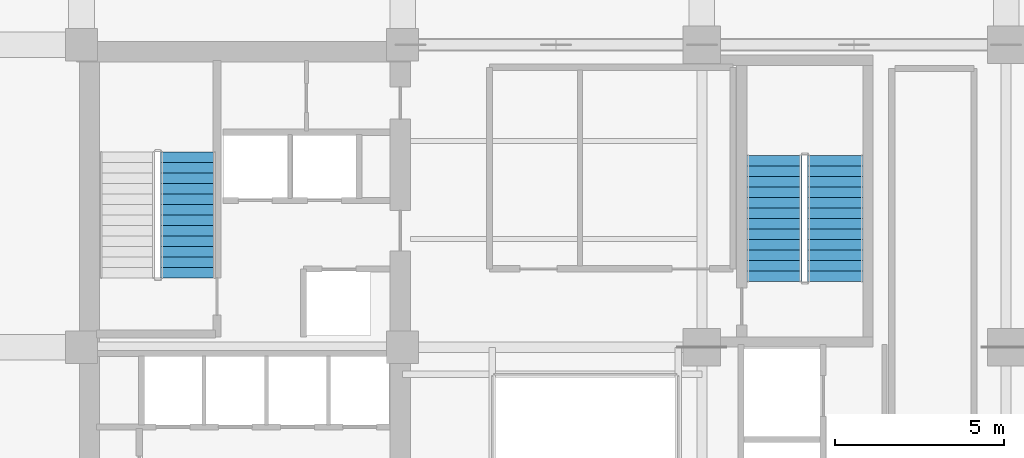
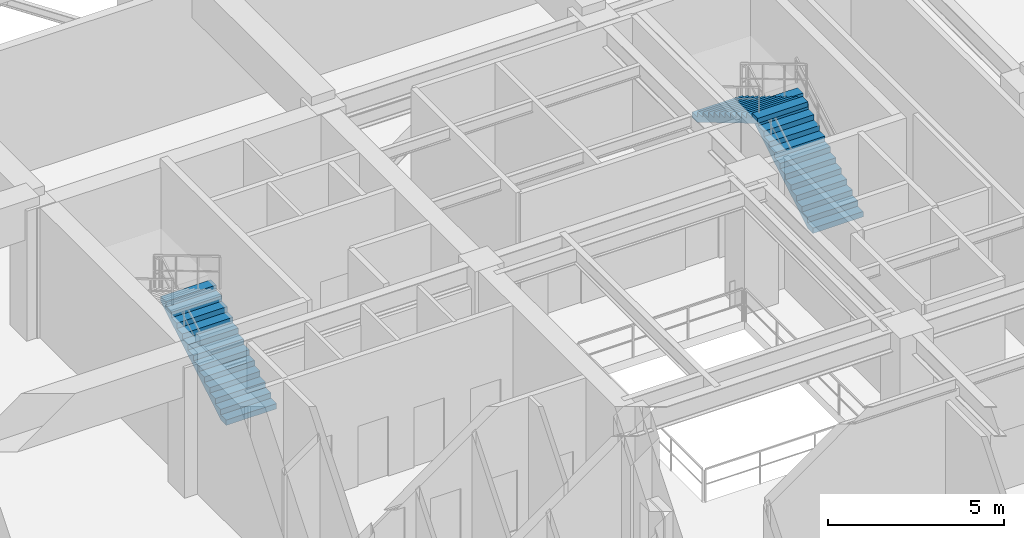
# One storey, part 6 of 10: 3 stair flights, 2 elements without a shape of their own.
"""IFC4 building model written with IfcOpenShell, lengths in metres."""

from ifc_helpers import new_model, si_unit, direction, frame, origin, place, context, subcontext, project, spatial, polyline, outline, extrude, material, type_object, element, aggregate, save


model = new_model("IFC4")

# Units and contexts
model_context = context("Model", 3, precision=1e-05, world=origin(), true_north=direction((0.0, 1.0)))
body_context = subcontext(model_context, "Body", "Model", "MODEL_VIEW")
ifc_project = project(units=[si_unit("LENGTHUNIT", "METRE"), si_unit("AREAUNIT", "SQUARE_METRE"), si_unit("VOLUMEUNIT", "CUBIC_METRE"), si_unit("PLANEANGLEUNIT", "RADIAN"), si_unit("MASSUNIT", "GRAM", prefix="KILO")], contexts=[model_context])

# Site, building, storey
site_placement = place(None, origin())
site = spatial("IfcSite", under=ifc_project, at=site_placement, CompositionType="ELEMENT")
building_placement = place(site_placement, origin())
building = spatial("IfcBuilding", under=site, at=building_placement, Name="Kundavana Baori Tower", CompositionType="ELEMENT")
storey_placement = place(building_placement, frame((0.0, 0.0, 94.0)))
storey = spatial("IfcBuildingStorey", under=building, at=storey_placement, Name="L22", CompositionType="ELEMENT", Elevation=94.0)

# Stair, stair flight
ifc_material_1 = material(Name="Concrete C40/50", Category="concrete")
stair_type = type_object("IfcStairType", Name="STR-DOG-1650", PredefinedType="HALF_TURN_STAIR", material=ifc_material_1)
stair_1_placement = place(storey_placement, origin())
stair_1 = element("IfcStair", 1, at=stair_1_placement, inside=storey, type_object=stair_type, Name="L22 Protected Exit Stair ST2", PredefinedType="HALF_TURN_STAIR")
ifc_material_2 = material(Name="Concrete C40/50", Category="concrete")
stair_flight_type = type_object("IfcStairFlightType", Name="SFL-RC-1650", PredefinedType="STRAIGHT", material=ifc_material_2)
stair_flight_1_placement = place(storey_placement, frame((18.614990234375, 35.050048828125, 0.0), z_axis=(0.0, 0.0, 1.0), x_axis=(0.0, 1.0, 0.0)))
stair_flight_1 = element("IfcStairFlight", 2, at=stair_flight_1_placement, type_object=stair_flight_type, Name="ST2 flight 1", NumberOfRisers=13, NumberOfTreads=12, PredefinedType="STRAIGHT", RiserHeight=0.184615385, TreadLength=0.31, context=body_context, shape_type="SweptSolid", body=[
    extrude(outline(polyline([(0.0, 0.0), (0.0, 0.1845703125), (0.31005859375, 0.1845703125), (0.31005859375, 0.369140625), (0.6201171875, 0.369140625), (0.6201171875, 0.553955078125), (0.929931640625, 0.553955078125), (0.929931640625, 0.738525390625), (1.239990234375, 0.738525390625), (1.239990234375, 0.923095703125), (1.550048828125, 0.923095703125), (1.550048828125, 1.107666015625), (1.860107421875, 1.107666015625), (1.860107421875, 1.292236328125), (2.169921875, 1.292236328125), (2.169921875, 1.476806640625), (2.47998046875, 1.476806640625), (2.47998046875, 1.66162109375), (2.7900390625, 1.66162109375), (2.7900390625, 1.84619140625), (3.10009765625, 1.84619140625), (3.10009765625, 2.03076171875), (3.409912109375, 2.03076171875), (3.409912109375, 2.21533203125), (3.719970703125, 2.21533203125), (3.719970703125, 2.39990234375), (3.719970703125, 2.041015625), (0.29296875, 0.0), (0.0, 0.0)])), frame((0.0, 0.824951171875, 0.0), z_axis=(0.0, -1.0, 0.0), x_axis=(1.0, 0.0, 0.0)), (0.0, 0.0, 1.0), 1.64990234375),
])
aggregate(stair_1, [stair_flight_1])

# Stair, stair flights
stair_2_placement = place(storey_placement, origin())
stair_2 = element("IfcStair", 3, at=stair_2_placement, inside=storey, type_object=stair_type, Name="L22 Protected Exit Stair ST3", PredefinedType="HALF_TURN_STAIR")
stair_flight_2_placement = place(storey_placement, frame((37.7548828125, 34.949951171875, 0.0), z_axis=(0.0, 0.0, 1.0), x_axis=(0.0, 1.0, 0.0)))
stair_flight_2 = element("IfcStairFlight", 4, at=stair_flight_2_placement, type_object=stair_flight_type, Name="ST3 flight 1", NumberOfRisers=13, NumberOfTreads=12, PredefinedType="STRAIGHT", RiserHeight=0.184615385, TreadLength=0.31, context=body_context, shape_type="SweptSolid", body=[
    extrude(outline(polyline([(0.0, 0.0), (0.0, 0.1845703125), (0.31005859375, 0.1845703125), (0.31005859375, 0.369140625), (0.6201171875, 0.369140625), (0.6201171875, 0.553955078125), (0.929931640625, 0.553955078125), (0.929931640625, 0.738525390625), (1.239990234375, 0.738525390625), (1.239990234375, 0.923095703125), (1.550048828125, 0.923095703125), (1.550048828125, 1.107666015625), (1.860107421875, 1.107666015625), (1.860107421875, 1.292236328125), (2.169921875, 1.292236328125), (2.169921875, 1.476806640625), (2.47998046875, 1.476806640625), (2.47998046875, 1.66162109375), (2.7900390625, 1.66162109375), (2.7900390625, 1.84619140625), (3.10009765625, 1.84619140625), (3.10009765625, 2.03076171875), (3.409912109375, 2.03076171875), (3.409912109375, 2.21533203125), (3.719970703125, 2.21533203125), (3.719970703125, 2.39990234375), (3.719970703125, 2.041015625), (0.29296875, 0.0), (0.0, 0.0)])), frame((0.0, 0.824951171875, 0.0), z_axis=(0.0, -1.0, 0.0), x_axis=(1.0, 0.0, 0.0)), (0.0, 0.0, 1.0), 1.64990234375),
])
stair_flight_3_placement = place(storey_placement, frame((35.945068359375, 38.669921875, 2.39990234375), z_axis=(0.0, 0.0, 1.0), x_axis=(0.0, -1.0, 0.0)))
stair_flight_3 = element("IfcStairFlight", 5, at=stair_flight_3_placement, type_object=stair_flight_type, Name="ST3 flight 2", NumberOfRisers=13, NumberOfTreads=12, PredefinedType="STRAIGHT", RiserHeight=0.184615385, TreadLength=0.31, context=body_context, shape_type="SweptSolid", body=[
    extrude(outline(polyline([(0.0, 0.0), (0.0, 0.1845703125), (0.31005859375, 0.1845703125), (0.31005859375, 0.369140625), (0.6201171875, 0.369140625), (0.6201171875, 0.553955078125), (0.929931640625, 0.553955078125), (0.929931640625, 0.738525390625), (1.239990234375, 0.738525390625), (1.239990234375, 0.923095703125), (1.550048828125, 0.923095703125), (1.550048828125, 1.107666015625), (1.860107421875, 1.107666015625), (1.860107421875, 1.292236328125), (2.169921875, 1.292236328125), (2.169921875, 1.476806640625), (2.47998046875, 1.476806640625), (2.47998046875, 1.66162109375), (2.7900390625, 1.66162109375), (2.7900390625, 1.84619140625), (3.10009765625, 1.84619140625), (3.10009765625, 2.03076171875), (3.409912109375, 2.03076171875), (3.409912109375, 2.21533203125), (3.719970703125, 2.21533203125), (3.719970703125, 2.39990234375), (3.719970703125, 2.041015625), (0.29296875, 0.0), (0.0, 0.0)])), frame((0.0, 0.824951171875, 0.0), z_axis=(0.0, -1.0, 0.0), x_axis=(1.0, 0.0, 0.0)), (0.0, 0.0, 1.0), 1.64990234375),
])
aggregate(stair_2, [stair_flight_2, stair_flight_3])

save(model, "model.ifc")
